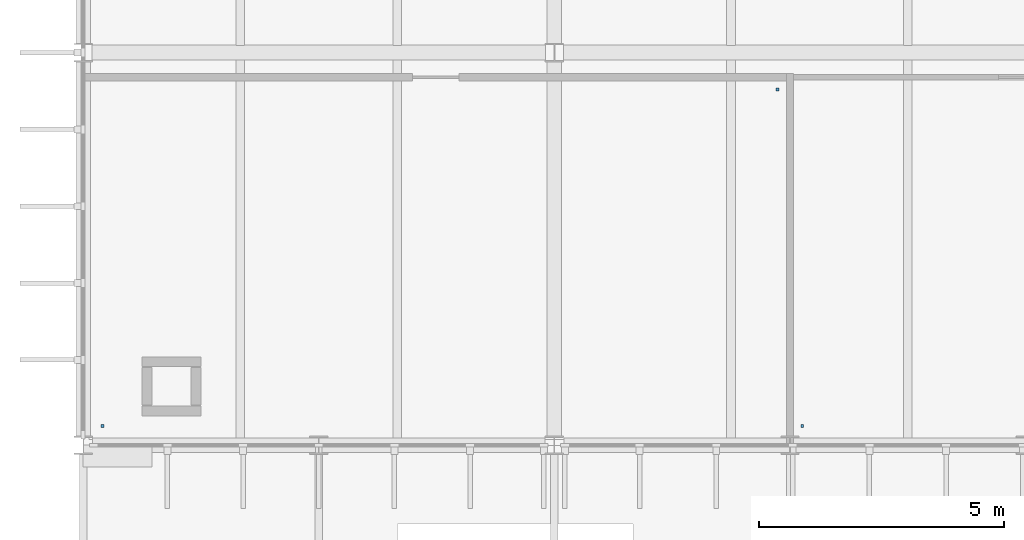
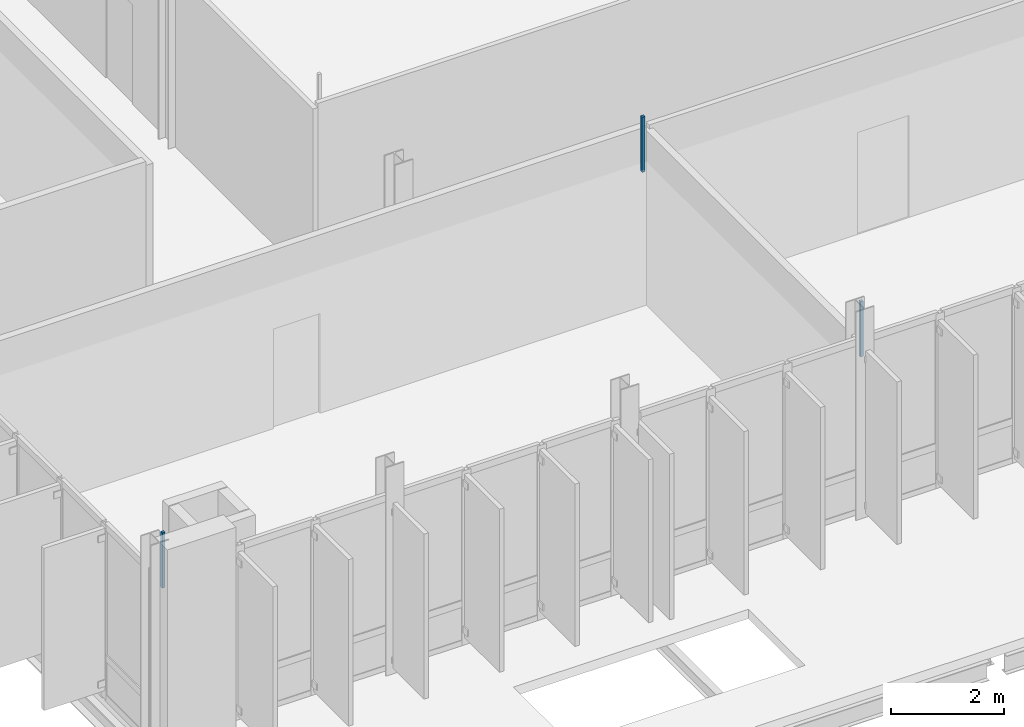
# One storey, part 68 of 107: 3 discrete accessories.
"""IFC4 building model written with IfcOpenShell, lengths in metres."""

from ifc_helpers import new_model, si_unit, direction, frame, origin, place, context, subcontext, project, spatial, polyline, outline, extrude, material, type_object, element, save


model = new_model("IFC4")

# Units and contexts
model_context = context("Model", 3, precision=1e-05, world=origin(), true_north=direction((0.0, 1.0)))
body_context = subcontext(model_context, "Body", "Model", "MODEL_VIEW")
ifc_project = project(units=[si_unit("LENGTHUNIT", "METRE"), si_unit("AREAUNIT", "SQUARE_METRE"), si_unit("VOLUMEUNIT", "CUBIC_METRE"), si_unit("PLANEANGLEUNIT", "RADIAN"), si_unit("MASSUNIT", "GRAM", prefix="KILO")], contexts=[model_context])

# Site, building, storey
site_placement = place(None, origin())
site = spatial("IfcSite", under=ifc_project, at=site_placement, CompositionType="ELEMENT")
building_placement = place(site_placement, origin())
building = spatial("IfcBuilding", under=site, at=building_placement, Name="Dunescarp Central Library", CompositionType="ELEMENT")
storey_placement = place(building_placement, frame((0.0, 0.0, 5.10009765625)))
storey = spatial("IfcBuildingStorey", under=building, at=storey_placement, Name="L01", CompositionType="ELEMENT", Elevation=5.10009765625)

# Discrete accessories
ifc_material = material(Name="Stainless steel Grade 316L", Category="steel")
discrete_accessory_type = type_object("IfcDiscreteAccessoryType", Name="ARC-ACC-BRK", PredefinedType="BRACKET", material=ifc_material)
discrete_accessory_1_placement = place(storey_placement, frame((0.0, 0.0, 3.059814453125)))
element("IfcDiscreteAccessory", 1, at=discrete_accessory_1_placement, inside=storey, type_object=discrete_accessory_type, Name="L01 ceiling hanger CLG-L01-009-H1", PredefinedType="BRACKET", context=body_context, shape_type="SweptSolid", body=[
    extrude(outline(polyline([(0.360107421875, 5.159912109375), (0.419921875, 5.159912109375), (0.419921875, 5.219970703125), (0.360107421875, 5.219970703125), (0.360107421875, 5.159912109375)])), origin(), (0.0, 0.0, 1.0), 1.190185546875),
])
discrete_accessory_2_placement = place(storey_placement, frame((0.0, 0.0, 3.059814453125)))
element("IfcDiscreteAccessory", 2, at=discrete_accessory_2_placement, inside=storey, type_object=discrete_accessory_type, Name="L01 ceiling hanger CLG-L01-009-H2", PredefinedType="BRACKET", context=body_context, shape_type="SweptSolid", body=[
    extrude(outline(polyline([(14.1201171875, 12.02001953125), (14.179931640625, 12.02001953125), (14.179931640625, 12.080078125), (14.1201171875, 12.080078125), (14.1201171875, 12.02001953125)])), origin(), (0.0, 0.0, 1.0), 1.190185546875),
])
discrete_accessory_3_placement = place(storey_placement, frame((0.0, 0.0, 3.059814453125)))
element("IfcDiscreteAccessory", 3, at=discrete_accessory_3_placement, inside=storey, type_object=discrete_accessory_type, Name="L01 ceiling hanger CLG-L01-010-H1", PredefinedType="BRACKET", context=body_context, shape_type="SweptSolid", body=[
    extrude(outline(polyline([(14.6201171875, 5.159912109375), (14.679931640625, 5.159912109375), (14.679931640625, 5.219970703125), (14.6201171875, 5.219970703125), (14.6201171875, 5.159912109375)])), origin(), (0.0, 0.0, 1.0), 1.190185546875),
])

save(model, "model.ifc")
